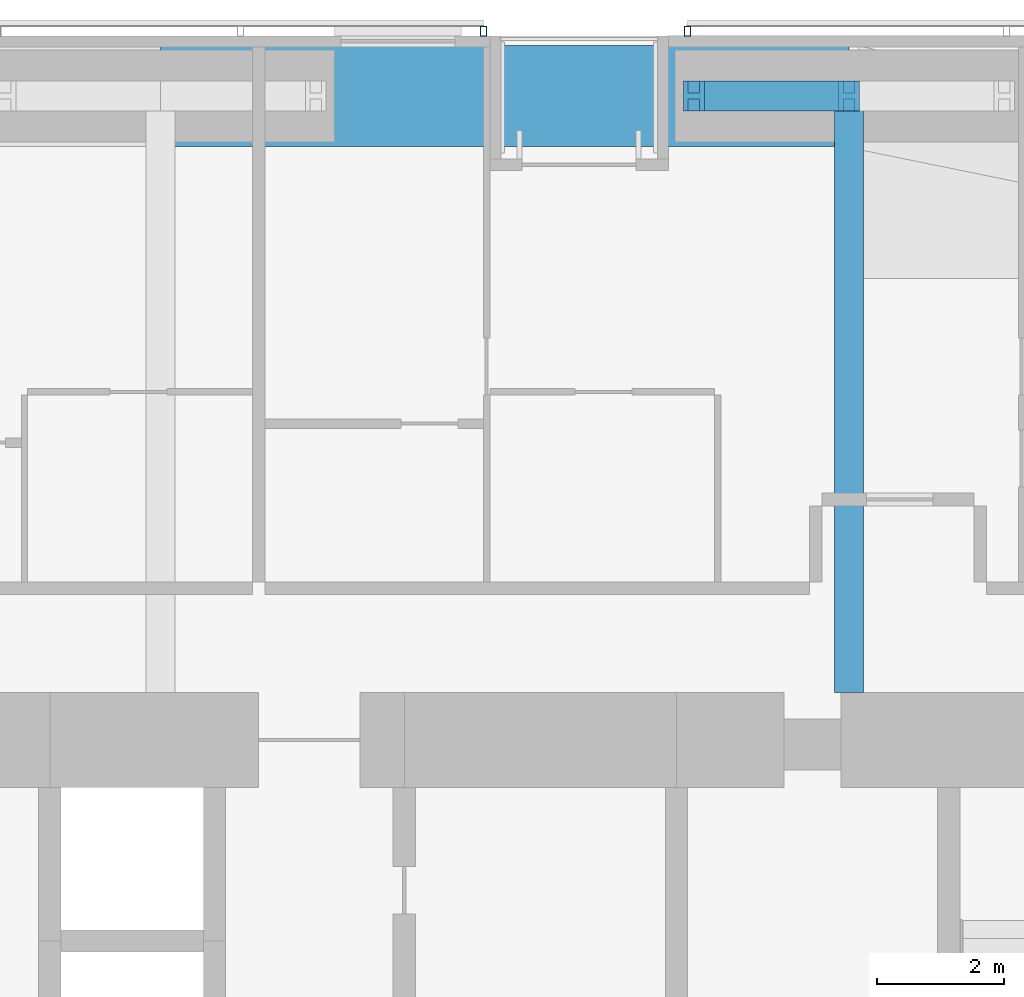
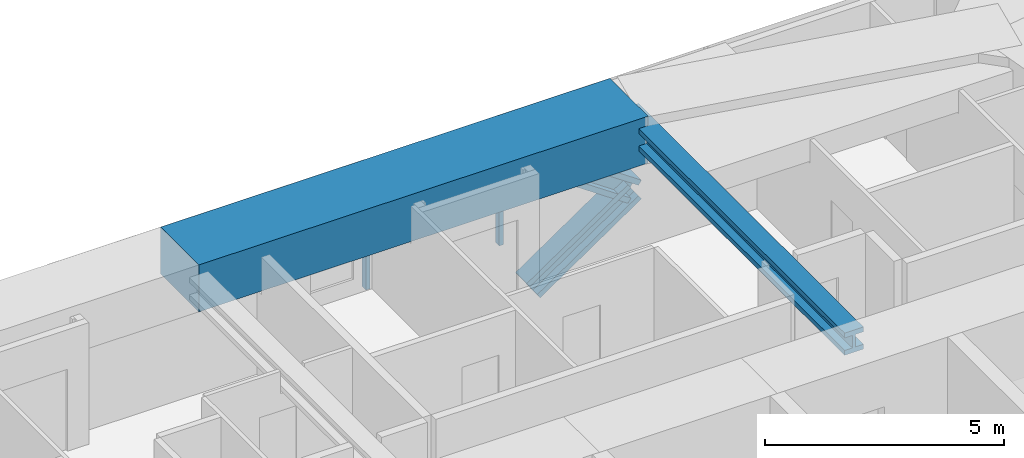
# One storey, part 14 of 24: 4 members, 2 beams, 2 elements without a shape of their own.
"""IFC4 building model written with IfcOpenShell, lengths in metres."""

from ifc_helpers import new_model, si_unit, direction, frame, origin, origin_2d, place, context, subcontext, project, spatial, rectangle, hollow_rectangle, i_section, extrude, material, material_profile, profile_set, type_object, element, aggregate, save


model = new_model("IFC4")

# Units and contexts
model_context = context("Model", 3, precision=1e-05, world=origin(), true_north=direction((0.0, 1.0)))
body_context = subcontext(model_context, "Body", "Model", "MODEL_VIEW")
ifc_project = project(units=[si_unit("LENGTHUNIT", "METRE"), si_unit("AREAUNIT", "SQUARE_METRE"), si_unit("VOLUMEUNIT", "CUBIC_METRE"), si_unit("PLANEANGLEUNIT", "RADIAN"), si_unit("MASSUNIT", "GRAM", prefix="KILO")], contexts=[model_context])

# Site, building, storey
site_placement = place(None, origin())
site = spatial("IfcSite", under=ifc_project, at=site_placement, CompositionType="ELEMENT")
building_placement = place(site_placement, origin())
building = spatial("IfcBuilding", under=site, at=building_placement, Name="Jalousie Tower", CompositionType="ELEMENT")
storey_placement = place(building_placement, frame((0.0, 0.0, 128.300048828125)))
storey = spatial("IfcBuildingStorey", under=building, at=storey_placement, Name="L35", CompositionType="ELEMENT", Elevation=128.300048828125)

# Beam
ifc_material_1 = material(Name="Steel ASTM A992 Grade 50", Category="steel")
ifc_material_profile_1 = material_profile(ifc_material_1, i_section(OverallWidth=0.45458984375, OverallDepth=0.569091796875, WebThickness=0.077880859375, FlangeThickness=0.124755859375, at=origin_2d()), Name="W14X730")
ifc_profile_set_1 = profile_set([ifc_material_profile_1], Name="Steel ASTM A992 Grade 50")
beam_type_1 = type_object("IfcBeamType", Name="LEAN COLLECTOR W14X730", PredefinedType="BEAM", material=ifc_profile_set_1)
beam_1_placement = place(storey_placement, frame((38.625, 37.050048828125, 2.825439453125), z_axis=(0.0, -1.0, 0.0), x_axis=(1.0, 0.0, 0.0)))
element("IfcBeam", 1, at=beam_1_placement, inside=storey, type_object=beam_type_1, Name="Lean collector under L36", PredefinedType="BEAM", context=body_context, shape_type="SweptSolid", body=[
    extrude(i_section(OverallWidth=0.45458984375, OverallDepth=0.569091796875, WebThickness=0.077880859375, FlangeThickness=0.124755859375, at=origin_2d()), origin(), (0.0, 0.0, 1.0), 9.425048828125),
])

# Members
ifc_material_2 = material(Name="Steel ASTM A992 Grade 50", Category="steel")
ifc_material_profile_2 = material_profile(ifc_material_2, i_section(OverallWidth=0.472412109375, OverallDepth=0.5791015625, WebThickness=0.094970703125, FlangeThickness=0.1298828125, at=origin_2d()), Name="W14X808")
ifc_profile_set_2 = profile_set([ifc_material_profile_2], Name="Steel ASTM A992 Grade 50")
member_type_1 = type_object("IfcMemberType", Name="PERIMETER BRACE W14X808", PredefinedType="BRACE", material=ifc_profile_set_2)
for number, where, z_axis, x_axis, name in (
    (2, (36.175048828125, 37.050048828125, -0.60009765625), (0.825500916831, 0.0, 0.564400776321), (0.0, 1.0, 0.0), "Perimeter brace 09 L35 part 1"),
    (3, (38.625, 37.050048828125, 1.074951171875), (-0.825500916831, 0.0, 0.564400776321), (0.0, -1.0, 0.0), "Perimeter brace 09 L35 part 4"),
):
    element("IfcMember", number, at=place(storey_placement, frame(where, z_axis=z_axis, x_axis=x_axis)), inside=storey, type_object=member_type_1, Name=name, PredefinedType="BRACE", context=body_context, shape_type="SweptSolid", body=[
        extrude(i_section(OverallWidth=0.472412109375, OverallDepth=0.5791015625, WebThickness=0.094970703125, FlangeThickness=0.1298828125, at=origin_2d()), origin(), (0.0, 0.0, 1.0), 2.9677734375),
    ])

# Beam
ifc_material_3 = material(Name="Concrete f'c 40 MPa", Category="concrete")
ifc_material_profile_3 = material_profile(ifc_material_3, rectangle(XDim=1.60009765625, YDim=1.199951171875, at=origin_2d()), Name="RC 1600x1200")
ifc_profile_set_3 = profile_set([ifc_material_profile_3], Name="Concrete f'c 40 MPa")
beam_type_2 = type_object("IfcBeamType", Name="RC BEAM 1600x1200", PredefinedType="BEAM", material=ifc_profile_set_3)
beam_2_placement = place(storey_placement, frame((38.625, 37.050048828125, 2.75), z_axis=(-1.0, 0.0, 0.0), x_axis=(0.0, -1.0, 0.0)))
element("IfcBeam", 4, at=beam_2_placement, inside=storey, type_object=beam_type_2, Name="Edge band beam 09-10 under L36", PredefinedType="BEAM", context=body_context, shape_type="SweptSolid", body=[
    extrude(rectangle(XDim=1.60009765625, YDim=1.199951171875, at=origin_2d()), origin(), (0.0, 0.0, 1.0), 10.875),
])

# Curtain wall, member
ifc_material_4 = material(Name="Perforated aluminium sheet", Category="aluminium")
curtain_wall_type = type_object("IfcCurtainWallType", Name="SOLAR SCREEN SS-1", PredefinedType="USERDEFINED", material=ifc_material_4)
curtain_wall_1_placement = place(storey_placement, origin())
curtain_wall_1 = element("IfcCurtainWall", 5, at=curtain_wall_1_placement, inside=storey, type_object=curtain_wall_type, Name="Solar screen L35", ObjectType="SOLAR SCREEN SS-1", PredefinedType="USERDEFINED")
ifc_material_5 = material(Name="Steel ASTM A500 Grade C", Category="steel")
ifc_material_profile_4 = material_profile(ifc_material_5, hollow_rectangle(XDim=0.1015625, YDim=0.15234375, WallThickness=0.00634765625, at=origin_2d()), Name="HSS6X4X1/4")
ifc_profile_set_4 = profile_set([ifc_material_profile_4], Name="Steel ASTM A500 Grade C")
member_type_2 = type_object("IfcMemberType", Name="SOLAR SCREEN SS-1 MULLION", PredefinedType="MULLION", material=ifc_profile_set_4)
member_1_placement = place(storey_placement, frame((36.074951171875, 38.0712890625, -0.1201171875), z_axis=(0.0, 0.0, 1.0), x_axis=(-1.0, 0.0, 0.0)))
member_1 = element("IfcMember", 6, at=member_1_placement, type_object=member_type_2, Name="SS1 post 3", PredefinedType="MULLION", context=body_context, shape_type="SweptSolid", body=[
    extrude(hollow_rectangle(XDim=0.1015625, YDim=0.15234375, WallThickness=0.00634765625, at=origin_2d()), origin(), (0.0, 0.0, 1.0), 3.22998046875),
])
aggregate(curtain_wall_1, [member_1])

curtain_wall_2_placement = place(storey_placement, origin())
curtain_wall_2 = element("IfcCurtainWall", 7, at=curtain_wall_2_placement, inside=storey, type_object=curtain_wall_type, Name="Solar screen L35", ObjectType="SOLAR SCREEN SS-1", PredefinedType="USERDEFINED")
member_2_placement = place(storey_placement, frame((32.85009765625, 38.0712890625, -0.1201171875), z_axis=(0.0, 0.0, 1.0), x_axis=(-1.0, 0.0, 0.0)))
member_2 = element("IfcMember", 8, at=member_2_placement, type_object=member_type_2, Name="SS1 post 1", PredefinedType="MULLION", context=body_context, shape_type="SweptSolid", body=[
    extrude(hollow_rectangle(XDim=0.1015625, YDim=0.15234375, WallThickness=0.00634765625, at=origin_2d()), origin(), (0.0, 0.0, 1.0), 3.22998046875),
])
aggregate(curtain_wall_2, [member_2])

save(model, "model.ifc")
